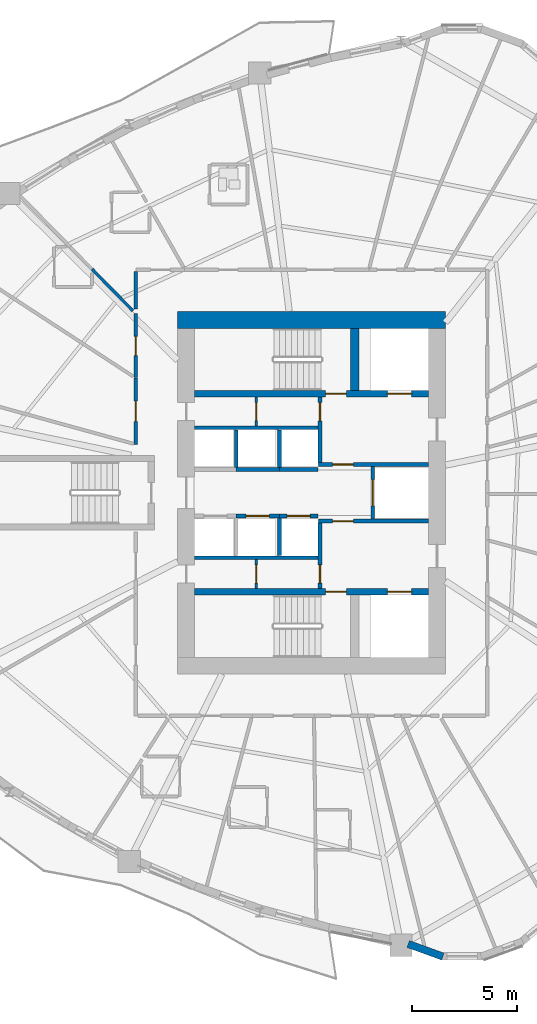
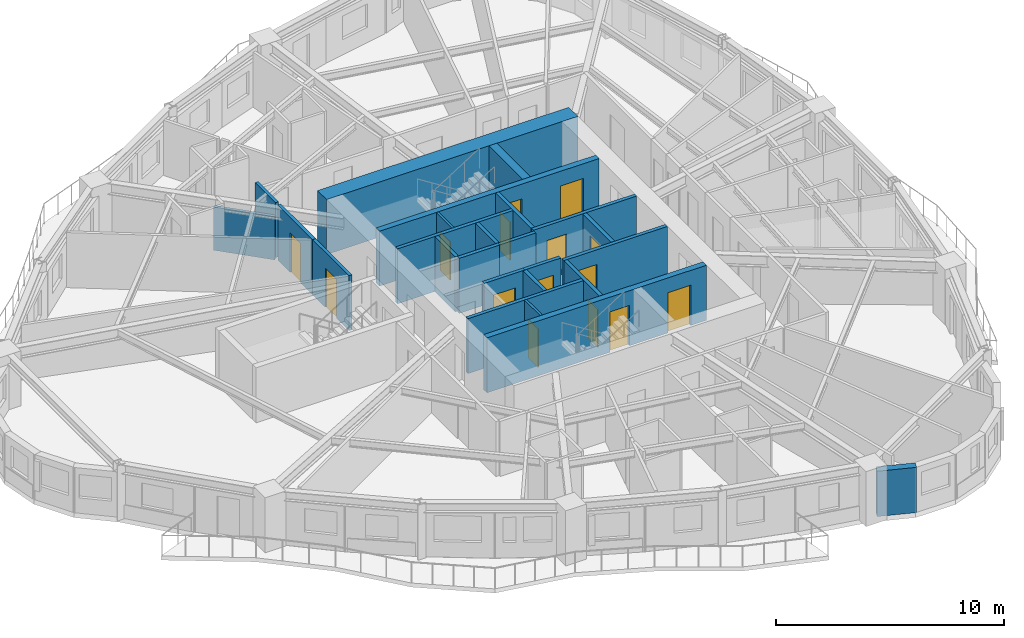
# One storey, part 5 of 13: 25 walls, 15 doors, 15 openings.
"""IFC4 building model written with IfcOpenShell, lengths in metres."""

from ifc_helpers import new_model, si_unit, direction, frame, frame_2d, origin, place, context, subcontext, project, spatial, rectangle, extrude, source, transform, mapped, material, layer, layer_set, type_object, element, fill, save


model = new_model("IFC4")

# Units and contexts
model_context = context("Model", 3, precision=1e-05, world=origin(), true_north=direction((0.0, 1.0)))
body_context = subcontext(model_context, "Body", "Model", "MODEL_VIEW")
ifc_project = project(units=[si_unit("LENGTHUNIT", "METRE"), si_unit("AREAUNIT", "SQUARE_METRE"), si_unit("VOLUMEUNIT", "CUBIC_METRE"), si_unit("PLANEANGLEUNIT", "RADIAN"), si_unit("MASSUNIT", "GRAM", prefix="KILO")], contexts=[model_context])

# Site, building, storey
site_placement = place(None, origin())
site = spatial("IfcSite", under=ifc_project, at=site_placement, CompositionType="ELEMENT")
building_placement = place(site_placement, origin())
building = spatial("IfcBuilding", under=site, at=building_placement, Name="Qafzar Sky-Pleat Residences", CompositionType="ELEMENT")
storey_placement = place(building_placement, frame((0.0, 0.0, 52.60009765625)))
storey = spatial("IfcBuildingStorey", under=building, at=storey_placement, Name="L15", CompositionType="ELEMENT", Elevation=52.60009765625)

# Wall, opening, door
ifc_material_1 = material(Name="Acoustic gypsum plasterboard partition", Category="gypsum")
ifc_layer_1 = layer(ifc_material_1, 0.159912109375)
ifc_layer_set_1 = layer_set([ifc_layer_1], Name="Acoustic gypsum plasterboard partition")
wall_type_1 = type_object("IfcWallType", Name="PART-COR-160", PredefinedType="PARTITIONING", material=ifc_layer_set_1)
wall_1_placement = place(storey_placement, frame((22.02001953125, 28.279052734375, 0.0), z_axis=(0.0, 0.0, 1.0), x_axis=(0.0, 1.0, 0.0)))
wall_1 = element("IfcWall", 1, at=wall_1_placement, inside=storey, type_object=wall_type_1, Name="L15 Partition Wall PART-L15-PW-007", PredefinedType="PARTITIONING", context=body_context, shape_type="SweptSolid", body=[
    extrude(rectangle(XDim=3.1728515625, YDim=0.159912109375, at=frame_2d((1.58642578125, 0.0))), origin(), (0.0, 0.0, 1.0), 2.93994140625),
])
opening_1_placement = place(wall_1_placement, frame((1.10498046875, 0.0, 0.0)))
opening_1 = element("IfcOpeningElement", 2, at=opening_1_placement, cuts=wall_1, Name="Opening ID-06", PredefinedType="OPENING", context=body_context, shape_type="SweptSolid", body=[
    extrude(rectangle(XDim=0.9599609375, YDim=2.10009765625, at=frame_2d((0.47998046875, 1.050048828125))), frame((0.0, 0.08984375, 0.0), z_axis=(0.0, -1.0, 0.0), x_axis=(1.0, 0.0, 0.0)), (0.0, 0.0, 1.0), 0.179931640625),
])
ifc_material_2 = material(Name="Timber-faced fire door", Category="wood")
door_type_1 = type_object("IfcDoorType", Name="DR-STD-960", OperationType="NOTDEFINED", PredefinedType="DOOR", material=ifc_material_2)
shared_shape_1 = source(origin(), body_context, "Body", "SweptSolid", [
    extrude(rectangle(XDim=0.9599609375, YDim=2.10009765625, at=frame_2d((0.47998046875, 1.050048828125))), frame((0.0, 0.02490234375, 0.0), z_axis=(0.0, -1.0, 0.0), x_axis=(1.0, 0.0, 0.0)), (0.0, 0.0, 1.0), 0.050048828125),
])
door_1_placement = place(opening_1_placement, origin())
door_1 = element("IfcDoor", 3, at=door_1_placement, inside=storey, type_object=door_type_1, Name="L15 Reading Library Door", OperationType="SINGLE_SWING_LEFT", OverallHeight=2.10009765625, OverallWidth=0.9599609375, PredefinedType="DOOR", context=body_context, shape_type="MappedRepresentation", body=[
    mapped(shared_shape_1, transform((0.0, 0.0, 0.0), x_axis=(1.0, 0.0, 0.0), y_axis=(0.0, 1.0, 0.0), z_axis=(0.0, 0.0, 1.0), scale=1.0)),
])
fill(opening_1, door_1)

wall_2_placement = place(storey_placement, frame((22.02001953125, 31.467041015625, 0.0), z_axis=(0.0, 0.0, 1.0), x_axis=(0.0, 1.0, 0.0)))
wall_2 = element("IfcWall", 4, at=wall_2_placement, inside=storey, type_object=wall_type_1, Name="L15 Partition Wall PART-L15-PW-008", PredefinedType="PARTITIONING", context=body_context, shape_type="SweptSolid", body=[
    extrude(rectangle(XDim=3.0400390625, YDim=0.159912109375, at=frame_2d((1.52001953125, 0.0))), origin(), (0.0, 0.0, 1.0), 2.93994140625),
])
opening_2_placement = place(wall_2_placement, frame((1.032958984375, 0.0, 0.0)))
opening_2 = element("IfcOpeningElement", 5, at=opening_2_placement, cuts=wall_2, Name="Opening ID-04", PredefinedType="OPENING", context=body_context, shape_type="SweptSolid", body=[
    extrude(rectangle(XDim=0.919921875, YDim=2.10009765625, at=frame_2d((0.4599609375, 1.050048828125))), frame((0.0, 0.08984375, 0.0), z_axis=(0.0, -1.0, 0.0), x_axis=(1.0, 0.0, 0.0)), (0.0, 0.0, 1.0), 0.179931640625),
])
door_type_2 = type_object("IfcDoorType", Name="DR-BED-920", OperationType="NOTDEFINED", PredefinedType="DOOR", material=ifc_material_2)
shared_shape_2 = source(origin(), body_context, "Body", "SweptSolid", [
    extrude(rectangle(XDim=0.919921875, YDim=2.10009765625, at=frame_2d((0.4599609375, 1.050048828125))), frame((0.0, 0.02490234375, 0.0), z_axis=(0.0, -1.0, 0.0), x_axis=(1.0, 0.0, 0.0)), (0.0, 0.0, 1.0), 0.050048828125),
])
door_2_placement = place(opening_2_placement, origin())
door_2 = element("IfcDoor", 6, at=door_2_placement, inside=storey, type_object=door_type_2, Name="L15 Co-Living Bedroom 8 Door", OperationType="SINGLE_SWING_RIGHT", OverallHeight=2.10009765625, OverallWidth=0.919921875, PredefinedType="DOOR", context=body_context, shape_type="MappedRepresentation", body=[
    mapped(shared_shape_2, transform((0.0, 0.0, 0.0), x_axis=(1.0, 0.0, 0.0), y_axis=(0.0, 1.0, 0.0), z_axis=(0.0, 0.0, 1.0), scale=1.0)),
])
fill(opening_2, door_2)

# Wall
wall_3_placement = place(storey_placement, frame((22.02001953125, 34.715087890625, 0.0), z_axis=(0.0, 0.0, 1.0), x_axis=(0.0, 1.0, 0.0)))
element("IfcWall", 7, at=wall_3_placement, inside=storey, type_object=wall_type_1, Name="L15 Partition Wall PART-L15-PW-057", PredefinedType="PARTITIONING", context=body_context, shape_type="SweptSolid", body=[
    extrude(rectangle(XDim=1.77685546875, YDim=0.159912109375, at=frame_2d((0.888427734375, 0.0))), origin(), (0.0, 0.0, 1.0), 2.93994140625),
])

# Wall, opening, door
ifc_material_3 = material(Name="Concrete blockwork partition", Category="masonry")
ifc_layer_2 = layer(ifc_material_3, 0.179931640625)
ifc_layer_set_2 = layer_set([ifc_layer_2], Name="Concrete blockwork partition")
wall_type_2 = type_object("IfcWallType", Name="PART-SHAFT-180", PredefinedType="PARTITIONING", material=ifc_layer_set_2)
wall_4_placement = place(storey_placement, frame((30.75, 21.4599609375, 0.0), z_axis=(0.0, 0.0, 1.0), x_axis=(0.0, 1.0, 0.0)))
wall_4 = element("IfcWall", 8, at=wall_4_placement, inside=storey, type_object=wall_type_2, Name="L15 Partition Wall PART-L15-FFL1-W", PredefinedType="PARTITIONING", context=body_context, shape_type="SweptSolid", body=[
    extrude(rectangle(XDim=3.110107421875, YDim=0.179931640625, at=frame_2d((1.55517578125, 0.0))), origin(), (0.0, 0.0, 1.0), 2.93994140625),
])
opening_3_placement = place(wall_4_placement, frame((0.260009765625, 0.0, 0.0)))
opening_3 = element("IfcOpeningElement", 9, at=opening_3_placement, cuts=wall_4, Name="Opening ID-09", PredefinedType="OPENING", context=body_context, shape_type="SweptSolid", body=[
    extrude(rectangle(XDim=0.860107421875, YDim=2.050048828125, at=frame_2d((0.43017578125, 1.02490234375))), frame((0.0, 0.10009765625, 0.0), z_axis=(0.0, -1.0, 0.0), x_axis=(1.0, 0.0, 0.0)), (0.0, 0.0, 1.0), 0.199951171875),
])
door_type_3 = type_object("IfcDoorType", Name="DR-SVC-860", OperationType="NOTDEFINED", PredefinedType="DOOR", material=ifc_material_2)
shared_shape_3 = source(origin(), body_context, "Body", "SweptSolid", [
    extrude(rectangle(XDim=0.860107421875, YDim=2.050048828125, at=frame_2d((0.43017578125, 1.02490234375))), frame((0.0, 0.02490234375, 0.0), z_axis=(0.0, -1.0, 0.0), x_axis=(1.0, 0.0, 0.0)), (0.0, 0.0, 1.0), 0.050048828125),
])
door_3_placement = place(opening_3_placement, origin())
door_3 = element("IfcDoor", 10, at=door_3_placement, inside=storey, type_object=door_type_3, Name="L15 South Core Cupboard Door", OperationType="SINGLE_SWING_LEFT", OverallHeight=2.050048828125, OverallWidth=0.860107421875, PredefinedType="DOOR", context=body_context, shape_type="MappedRepresentation", body=[
    mapped(shared_shape_3, transform((0.0, 0.0, 0.0), x_axis=(1.0, 0.0, 0.0), y_axis=(0.0, 1.0, 0.0), z_axis=(0.0, 0.0, 1.0), scale=1.0)),
])
fill(opening_3, door_3)

wall_5_placement = place(storey_placement, frame((30.669921875, 24.659912109375, 0.0), z_axis=(0.0, 0.0, 1.0), x_axis=(1.0, 0.0, 0.0)))
wall_5 = element("IfcWall", 11, at=wall_5_placement, inside=storey, type_object=wall_type_2, Name="L15 Partition Wall PART-L15-FFL1-N", PredefinedType="PARTITIONING", context=body_context, shape_type="SweptSolid", body=[
    extrude(rectangle(XDim=5.219970703125, YDim=0.179931640625, at=frame_2d((2.60986328125, 0.0))), origin(), (0.0, 0.0, 1.0), 2.93994140625),
])
opening_4_placement = place(wall_5_placement, frame((0.679931640625, 0.0, 0.0)))
opening_4 = element("IfcOpeningElement", 12, at=opening_4_placement, cuts=wall_5, Name="Opening ID-01", PredefinedType="OPENING", context=body_context, shape_type="SweptSolid", body=[
    extrude(rectangle(XDim=0.97998046875, YDim=2.14990234375, at=frame_2d((0.489990234375, 1.074951171875))), frame((0.0, 0.10009765625, 0.0), z_axis=(0.0, -1.0, 0.0), x_axis=(1.0, 0.0, 0.0)), (0.0, 0.0, 1.0), 0.199951171875),
])
door_type_4 = type_object("IfcDoorType", Name="DR-STAIR-980", OperationType="NOTDEFINED", PredefinedType="DOOR", material=ifc_material_2)
shared_shape_4 = source(origin(), body_context, "Body", "SweptSolid", [
    extrude(rectangle(XDim=0.97998046875, YDim=2.14990234375, at=frame_2d((0.489990234375, 1.074951171875))), frame((0.0, 0.02490234375, 0.0), z_axis=(0.0, -1.0, 0.0), x_axis=(1.0, 0.0, 0.0)), (0.0, 0.0, 1.0), 0.050048828125),
])
door_4_placement = place(opening_4_placement, origin())
door_4 = element("IfcDoor", 13, at=door_4_placement, inside=storey, type_object=door_type_4, Name="L15 Lift Lobby to South Firefighting Lobby Door", OperationType="SINGLE_SWING_RIGHT", OverallHeight=2.14990234375, OverallWidth=0.97998046875, PredefinedType="DOOR", context=body_context, shape_type="MappedRepresentation", body=[
    mapped(shared_shape_4, transform((0.0, 0.0, 0.0), x_axis=(1.0, 0.0, 0.0), y_axis=(0.0, 1.0, 0.0), z_axis=(0.0, 0.0, 1.0), scale=1.0)),
])
fill(opening_4, door_4)

wall_6_placement = place(storey_placement, frame((30.75, 27.429931640625, 0.0), z_axis=(0.0, 0.0, 1.0), x_axis=(0.0, 1.0, 0.0)))
wall_6 = element("IfcWall", 14, at=wall_6_placement, inside=storey, type_object=wall_type_2, Name="L15 Partition Wall PART-L15-FFL2-W", PredefinedType="PARTITIONING", context=body_context, shape_type="SweptSolid", body=[
    extrude(rectangle(XDim=3.110107421875, YDim=0.179931640625, at=frame_2d((1.55517578125, 0.0))), origin(), (0.0, 0.0, 1.0), 2.93994140625),
])
opening_5_placement = place(wall_6_placement, frame((1.97998046875, 0.0, 0.0)))
opening_5 = element("IfcOpeningElement", 15, at=opening_5_placement, cuts=wall_6, Name="Opening ID-09", PredefinedType="OPENING", context=body_context, shape_type="SweptSolid", body=[
    extrude(rectangle(XDim=0.860107421875, YDim=2.050048828125, at=frame_2d((0.43017578125, 1.02490234375))), frame((0.0, 0.10009765625, 0.0), z_axis=(0.0, -1.0, 0.0), x_axis=(1.0, 0.0, 0.0)), (0.0, 0.0, 1.0), 0.199951171875),
])
door_5_placement = place(opening_5_placement, origin())
door_5 = element("IfcDoor", 16, at=door_5_placement, inside=storey, type_object=door_type_3, Name="L15 North Core Cupboard Door", OperationType="SINGLE_SWING_LEFT", OverallHeight=2.050048828125, OverallWidth=0.860107421875, PredefinedType="DOOR", context=body_context, shape_type="MappedRepresentation", body=[
    mapped(shared_shape_3, transform((0.0, 0.0, 0.0), x_axis=(1.0, 0.0, 0.0), y_axis=(0.0, 1.0, 0.0), z_axis=(0.0, 0.0, 1.0), scale=1.0)),
])
fill(opening_5, door_5)

wall_7_placement = place(storey_placement, frame((30.669921875, 27.340087890625, 0.0), z_axis=(0.0, 0.0, 1.0), x_axis=(1.0, 0.0, 0.0)))
wall_7 = element("IfcWall", 17, at=wall_7_placement, inside=storey, type_object=wall_type_2, Name="L15 Partition Wall PART-L15-FFL2-S", PredefinedType="PARTITIONING", context=body_context, shape_type="SweptSolid", body=[
    extrude(rectangle(XDim=5.219970703125, YDim=0.179931640625, at=frame_2d((2.60986328125, 0.0))), origin(), (0.0, 0.0, 1.0), 2.93994140625),
])
opening_6_placement = place(wall_7_placement, frame((0.679931640625, 0.0, 0.0)))
opening_6 = element("IfcOpeningElement", 18, at=opening_6_placement, cuts=wall_7, Name="Opening ID-01", PredefinedType="OPENING", context=body_context, shape_type="SweptSolid", body=[
    extrude(rectangle(XDim=0.97998046875, YDim=2.14990234375, at=frame_2d((0.489990234375, 1.074951171875))), frame((0.0, 0.10009765625, 0.0), z_axis=(0.0, -1.0, 0.0), x_axis=(1.0, 0.0, 0.0)), (0.0, 0.0, 1.0), 0.199951171875),
])
door_6_placement = place(opening_6_placement, origin())
door_6 = element("IfcDoor", 19, at=door_6_placement, inside=storey, type_object=door_type_4, Name="L15 Lift Lobby to North Firefighting Lobby Door", OperationType="SINGLE_SWING_RIGHT", OverallHeight=2.14990234375, OverallWidth=0.97998046875, PredefinedType="DOOR", context=body_context, shape_type="MappedRepresentation", body=[
    mapped(shared_shape_4, transform((0.0, 0.0, 0.0), x_axis=(1.0, 0.0, 0.0), y_axis=(0.0, 1.0, 0.0), z_axis=(0.0, 0.0, 1.0), scale=1.0)),
])
fill(opening_6, door_6)

wall_8_placement = place(storey_placement, frame((33.25, 24.760009765625, 0.0), z_axis=(0.0, 0.0, 1.0), x_axis=(0.0, 1.0, 0.0)))
wall_8 = element("IfcWall", 20, at=wall_8_placement, inside=storey, type_object=wall_type_2, Name="L15 Partition Wall PART-L15-SV1-W", PredefinedType="PARTITIONING", context=body_context, shape_type="SweptSolid", body=[
    extrude(rectangle(XDim=2.47998046875, YDim=0.179931640625, at=frame_2d((1.239990234375, 0.0))), origin(), (0.0, 0.0, 1.0), 2.93994140625),
])
opening_7_placement = place(wall_8_placement, frame((0.614990234375, 0.0, 0.0)))
opening_7 = element("IfcOpeningElement", 21, at=opening_7_placement, cuts=wall_8, Name="Opening LD-03", PredefinedType="OPENING", context=body_context, shape_type="SweptSolid", body=[
    extrude(rectangle(XDim=1.25, YDim=2.14990234375, at=frame_2d((0.625, 1.074951171875))), frame((0.0, 0.10009765625, 0.0), z_axis=(0.0, -1.0, 0.0), x_axis=(1.0, 0.0, 0.0)), (0.0, 0.0, 1.0), 0.199951171875),
])
ifc_material_4 = material(Name="Stainless steel sliding landing door", Category="steel")
door_type_5 = type_object("IfcDoorType", Name="DR-LIFT-SV", OperationType="DOUBLE_DOOR_SLIDING", PredefinedType="DOOR", material=ifc_material_4)
shared_shape_5 = source(origin(), body_context, "Body", "SweptSolid", [
    extrude(rectangle(XDim=1.25, YDim=2.14990234375, at=frame_2d((0.625, 1.074951171875))), frame((0.0, 0.02490234375, 0.0), z_axis=(0.0, -1.0, 0.0), x_axis=(1.0, 0.0, 0.0)), (0.0, 0.0, 1.0), 0.050048828125),
])
door_7_placement = place(opening_7_placement, origin())
door_7 = element("IfcDoor", 22, at=door_7_placement, inside=storey, type_object=door_type_5, Name="L15 Service Lift SV1 Landing Door", OperationType="DOUBLE_DOOR_SLIDING", OverallHeight=2.14990234375, OverallWidth=1.25, PredefinedType="DOOR", context=body_context, shape_type="MappedRepresentation", body=[
    mapped(shared_shape_5, transform((0.0, 0.0, 0.0), x_axis=(1.0, 0.0, 0.0), y_axis=(0.0, 1.0, 0.0), z_axis=(0.0, 0.0, 1.0), scale=1.0)),
])
fill(opening_7, door_7)

# Wall
wall_9_placement = place(storey_placement, frame((24.81005859375, 22.919921875, 0.0), z_axis=(0.0, 0.0, 1.0), x_axis=(1.0, 0.0, 0.0)))
element("IfcWall", 23, at=wall_9_placement, inside=storey, type_object=wall_type_2, Name="L15 Partition Wall PART-L15-P13-S", PredefinedType="PARTITIONING", context=body_context, shape_type="SweptSolid", body=[
    extrude(rectangle(XDim=5.83984375, YDim=0.179931640625, at=frame_2d((2.919921875, 0.0))), origin(), (0.0, 0.0, 1.0), 2.93994140625),
])

# Wall, opening, door
wall_10_placement = place(storey_placement, frame((26.77490234375, 24.89990234375, 0.0), z_axis=(0.0, 0.0, 1.0), x_axis=(1.0, 0.0, 0.0)))
wall_10 = element("IfcWall", 24, at=wall_10_placement, inside=storey, type_object=wall_type_2, Name="L15 Partition Wall PART-L15-P2-N", PredefinedType="PARTITIONING", context=body_context, shape_type="SweptSolid", body=[
    extrude(rectangle(XDim=2.050048828125, YDim=0.179931640625, at=frame_2d((1.02490234375, 0.0))), origin(), (0.0, 0.0, 1.0), 2.93994140625),
])
opening_8_placement = place(wall_10_placement, frame((0.47509765625, 0.0, 0.0)))
opening_8 = element("IfcOpeningElement", 25, at=opening_8_placement, cuts=wall_10, Name="Opening LD-01", PredefinedType="OPENING", context=body_context, shape_type="SweptSolid", body=[
    extrude(rectangle(XDim=1.10009765625, YDim=2.14990234375, at=frame_2d((0.550048828125, 1.074951171875))), frame((0.0, 0.10009765625, 0.0), z_axis=(0.0, -1.0, 0.0), x_axis=(1.0, 0.0, 0.0)), (0.0, 0.0, 1.0), 0.199951171875),
])
door_type_6 = type_object("IfcDoorType", Name="DR-LIFT-P", OperationType="DOUBLE_DOOR_SLIDING", PredefinedType="DOOR", material=ifc_material_4)
shared_shape_6 = source(origin(), body_context, "Body", "SweptSolid", [
    extrude(rectangle(XDim=1.10009765625, YDim=2.14990234375, at=frame_2d((0.550048828125, 1.074951171875))), frame((0.0, 0.02490234375, 0.0), z_axis=(0.0, -1.0, 0.0), x_axis=(1.0, 0.0, 0.0)), (0.0, 0.0, 1.0), 0.050048828125),
])
door_8_placement = place(opening_8_placement, origin())
door_8 = element("IfcDoor", 26, at=door_8_placement, inside=storey, type_object=door_type_6, Name="L15 Passenger Lift P2 Landing Door", OperationType="DOUBLE_DOOR_SLIDING", OverallHeight=2.14990234375, OverallWidth=1.10009765625, PredefinedType="DOOR", context=body_context, shape_type="MappedRepresentation", body=[
    mapped(shared_shape_6, transform((0.0, 0.0, 0.0), x_axis=(1.0, 0.0, 0.0), y_axis=(0.0, 1.0, 0.0), z_axis=(0.0, 0.0, 1.0), scale=1.0)),
])
fill(opening_8, door_8)

wall_11_placement = place(storey_placement, frame((28.824951171875, 24.89990234375, 0.0), z_axis=(0.0, 0.0, 1.0), x_axis=(1.0, 0.0, 0.0)))
wall_11 = element("IfcWall", 27, at=wall_11_placement, inside=storey, type_object=wall_type_2, Name="L15 Partition Wall PART-L15-P3-N", PredefinedType="PARTITIONING", context=body_context, shape_type="SweptSolid", body=[
    extrude(rectangle(XDim=1.824951171875, YDim=0.179931640625, at=frame_2d((0.91259765625, 0.0))), origin(), (0.0, 0.0, 1.0), 2.93994140625),
])
opening_9_placement = place(wall_11_placement, frame((0.362548828125, 0.0, 0.0)))
opening_9 = element("IfcOpeningElement", 28, at=opening_9_placement, cuts=wall_11, Name="Opening LD-01", PredefinedType="OPENING", context=body_context, shape_type="SweptSolid", body=[
    extrude(rectangle(XDim=1.10009765625, YDim=2.14990234375, at=frame_2d((0.550048828125, 1.074951171875))), frame((0.0, 0.10009765625, 0.0), z_axis=(0.0, -1.0, 0.0), x_axis=(1.0, 0.0, 0.0)), (0.0, 0.0, 1.0), 0.199951171875),
])
door_9_placement = place(opening_9_placement, origin())
door_9 = element("IfcDoor", 29, at=door_9_placement, inside=storey, type_object=door_type_6, Name="L15 Passenger Lift P3 Landing Door", OperationType="DOUBLE_DOOR_SLIDING", OverallHeight=2.14990234375, OverallWidth=1.10009765625, PredefinedType="DOOR", context=body_context, shape_type="MappedRepresentation", body=[
    mapped(shared_shape_6, transform((0.0, 0.0, 0.0), x_axis=(1.0, 0.0, 0.0), y_axis=(0.0, 1.0, 0.0), z_axis=(0.0, 0.0, 1.0), scale=1.0)),
])
fill(opening_9, door_9)

# Walls
wall_12_placement = place(storey_placement, frame((28.824951171875, 23.02001953125, 0.0), z_axis=(0.0, 0.0, 1.0), x_axis=(0.0, 1.0, 0.0)))
element("IfcWall", 30, at=wall_12_placement, inside=storey, type_object=wall_type_2, Name="L15 Partition Wall PART-L15-P13-DIV-2", PredefinedType="PARTITIONING", context=body_context, shape_type="SweptSolid", body=[
    extrude(rectangle(XDim=1.780029296875, YDim=0.179931640625, at=frame_2d((0.89013671875, 0.0))), origin(), (0.0, 0.0, 1.0), 2.93994140625),
])
wall_13_placement = place(storey_placement, frame((24.81005859375, 29.080078125, 0.0), z_axis=(0.0, 0.0, 1.0), x_axis=(1.0, 0.0, 0.0)))
element("IfcWall", 31, at=wall_13_placement, inside=storey, type_object=wall_type_2, Name="L15 Partition Wall PART-L15-P46-N", PredefinedType="PARTITIONING", context=body_context, shape_type="SweptSolid", body=[
    extrude(rectangle(XDim=5.83984375, YDim=0.179931640625, at=frame_2d((2.919921875, 0.0))), origin(), (0.0, 0.0, 1.0), 2.93994140625),
])
wall_14_placement = place(storey_placement, frame((26.77490234375, 27.10009765625, 0.0), z_axis=(0.0, 0.0, 1.0), x_axis=(1.0, 0.0, 0.0)))
element("IfcWall", 32, at=wall_14_placement, inside=storey, type_object=wall_type_2, Name="L15 Partition Wall PART-L15-P5-S", PredefinedType="PARTITIONING", context=body_context, shape_type="SweptSolid", body=[
    extrude(rectangle(XDim=2.050048828125, YDim=0.179931640625, at=frame_2d((1.02490234375, 0.0))), origin(), (0.0, 0.0, 1.0), 2.93994140625),
])
wall_15_placement = place(storey_placement, frame((26.77490234375, 27.199951171875, 0.0), z_axis=(0.0, 0.0, 1.0), x_axis=(0.0, 1.0, 0.0)))
element("IfcWall", 33, at=wall_15_placement, inside=storey, type_object=wall_type_2, Name="L15 Partition Wall PART-L15-P46-DIV-1", PredefinedType="PARTITIONING", context=body_context, shape_type="SweptSolid", body=[
    extrude(rectangle(XDim=1.780029296875, YDim=0.179931640625, at=frame_2d((0.89013671875, 0.0))), origin(), (0.0, 0.0, 1.0), 2.93994140625),
])
wall_16_placement = place(storey_placement, frame((28.824951171875, 27.10009765625, 0.0), z_axis=(0.0, 0.0, 1.0), x_axis=(1.0, 0.0, 0.0)))
element("IfcWall", 34, at=wall_16_placement, inside=storey, type_object=wall_type_2, Name="L15 Partition Wall PART-L15-P6-S", PredefinedType="PARTITIONING", context=body_context, shape_type="SweptSolid", body=[
    extrude(rectangle(XDim=1.824951171875, YDim=0.179931640625, at=frame_2d((0.91259765625, 0.0))), origin(), (0.0, 0.0, 1.0), 2.93994140625),
])
wall_17_placement = place(storey_placement, frame((28.824951171875, 27.199951171875, 0.0), z_axis=(0.0, 0.0, 1.0), x_axis=(0.0, 1.0, 0.0)))
element("IfcWall", 35, at=wall_17_placement, inside=storey, type_object=wall_type_2, Name="L15 Partition Wall PART-L15-P46-DIV-2", PredefinedType="PARTITIONING", context=body_context, shape_type="SweptSolid", body=[
    extrude(rectangle(XDim=1.780029296875, YDim=0.179931640625, at=frame_2d((0.89013671875, 0.0))), origin(), (0.0, 0.0, 1.0), 2.93994140625),
])

# Wall, opening, door
ifc_material_5 = material(Name="Gypsum plasterboard partition", Category="gypsum")
ifc_layer_3 = layer(ifc_material_5, 0.114990234375)
ifc_layer_set_3 = layer_set([ifc_layer_3], Name="Gypsum plasterboard partition")
wall_type_3 = type_object("IfcWallType", Name="PART-SVC-115", PredefinedType="PARTITIONING", material=ifc_layer_set_3)
wall_18_placement = place(storey_placement, frame((27.72509765625, 21.4599609375, 0.0), z_axis=(0.0, 0.0, 1.0), x_axis=(0.0, 1.0, 0.0)))
wall_18 = element("IfcWall", 36, at=wall_18_placement, inside=storey, type_object=wall_type_3, Name="L15 Partition Wall PART-L15-KB-SW", PredefinedType="PARTITIONING", context=body_context, shape_type="SweptSolid", body=[
    extrude(rectangle(XDim=1.380126953125, YDim=0.114990234375, at=frame_2d((0.68994140625, 0.0))), origin(), (0.0, 0.0, 1.0), 2.93994140625),
])
opening_10_placement = place(wall_18_placement, frame((0.260009765625, 0.0, 0.0)))
opening_10 = element("IfcOpeningElement", 37, at=opening_10_placement, cuts=wall_18, Name="Opening ID-09", PredefinedType="OPENING", context=body_context, shape_type="SweptSolid", body=[
    extrude(rectangle(XDim=0.860107421875, YDim=2.050048828125, at=frame_2d((0.43017578125, 1.02490234375))), frame((0.0, 0.0673828125, 0.0), z_axis=(0.0, -1.0, 0.0), x_axis=(1.0, 0.0, 0.0)), (0.0, 0.0, 1.0), 0.135009765625),
])
door_10_placement = place(opening_10_placement, origin())
door_10 = element("IfcDoor", 38, at=door_10_placement, inside=storey, type_object=door_type_3, Name="L15 BMS Metering Cupboard Door", OperationType="SINGLE_SWING_LEFT", OverallHeight=2.050048828125, OverallWidth=0.860107421875, PredefinedType="DOOR", context=body_context, shape_type="MappedRepresentation", body=[
    mapped(shared_shape_3, transform((0.0, 0.0, 0.0), x_axis=(1.0, 0.0, 0.0), y_axis=(0.0, 1.0, 0.0), z_axis=(0.0, 0.0, 1.0), scale=1.0)),
])
fill(opening_10, door_10)

wall_19_placement = place(storey_placement, frame((27.72509765625, 29.159912109375, 0.0), z_axis=(0.0, 0.0, 1.0), x_axis=(0.0, 1.0, 0.0)))
wall_19 = element("IfcWall", 39, at=wall_19_placement, inside=storey, type_object=wall_type_3, Name="L15 Partition Wall PART-L15-KB-NW", PredefinedType="PARTITIONING", context=body_context, shape_type="SweptSolid", body=[
    extrude(rectangle(XDim=1.380126953125, YDim=0.114990234375, at=frame_2d((0.68994140625, 0.0))), origin(), (0.0, 0.0, 1.0), 2.93994140625),
])
opening_11_placement = place(wall_19_placement, frame((0.260009765625, 0.0, 0.0)))
opening_11 = element("IfcOpeningElement", 40, at=opening_11_placement, cuts=wall_19, Name="Opening ID-09", PredefinedType="OPENING", context=body_context, shape_type="SweptSolid", body=[
    extrude(rectangle(XDim=0.860107421875, YDim=2.050048828125, at=frame_2d((0.43017578125, 1.02490234375))), frame((0.0, 0.0673828125, 0.0), z_axis=(0.0, -1.0, 0.0), x_axis=(1.0, 0.0, 0.0)), (0.0, 0.0, 1.0), 0.135009765625),
])
door_11_placement = place(opening_11_placement, origin())
door_11 = element("IfcDoor", 41, at=door_11_placement, inside=storey, type_object=door_type_3, Name="L15 IT Cupboard Door", OperationType="SINGLE_SWING_RIGHT", OverallHeight=2.050048828125, OverallWidth=0.860107421875, PredefinedType="DOOR", context=body_context, shape_type="MappedRepresentation", body=[
    mapped(shared_shape_3, transform((0.0, 0.0, 0.0), x_axis=(1.0, 0.0, 0.0), y_axis=(0.0, 1.0, 0.0), z_axis=(0.0, 0.0, 1.0), scale=1.0)),
])
fill(opening_11, door_11)

# Walls
ifc_layer_4 = layer(ifc_material_1, 0.14501953125)
ifc_layer_set_4 = layer_set([ifc_layer_4], Name="Acoustic gypsum plasterboard partition")
wall_type_4 = type_object("IfcWallType", Name="PART-UNIT-145", PredefinedType="PARTITIONING", material=ifc_layer_set_4)
wall_20_placement = place(storey_placement, frame((19.93798828125, 36.60693359375, 0.0), z_axis=(0.0, 0.0, 1.0), x_axis=(0.700568911338, -0.713584753527, 0.0)))
element("IfcWall", 42, at=wall_20_placement, inside=storey, type_object=wall_type_4, Name="L15 Partition Wall PART-L15-PW-053", PredefinedType="PARTITIONING", context=body_context, shape_type="SweptSolid", body=[
    extrude(rectangle(XDim=2.776123046875, YDim=0.14501953125, at=frame_2d((1.38818359375, 0.0))), origin(), (0.0, 0.0, 1.0), 2.307861328125),
])
ifc_material_6 = material(Name="Precast concrete C40/50 with honed Riyadh limestone", Category="concrete")
ifc_layer_5 = layer(ifc_material_6, 0.35009765625)
ifc_layer_set_5 = layer_set([ifc_layer_5], Name="Precast concrete C40/50 with honed Riyadh limestone")
wall_type_5 = type_object("IfcWallType", Name="WALL-EXT-350", PredefinedType="SOLIDWALL", material=ifc_layer_set_5)
wall_21_placement = place(storey_placement, frame((34.931884765625, 4.601806640625, 0.0), z_axis=(0.0, 0.0, 1.0), x_axis=(0.939675390388, -0.342067479745, 0.0)))
element("IfcWall", 43, at=wall_21_placement, inside=storey, type_object=wall_type_5, Name="L15 Limestone Facade Wall 17", PredefinedType="SOLIDWALL", context=body_context, shape_type="SweptSolid", body=[
    extrude(rectangle(XDim=1.752197265625, YDim=0.35009765625, at=frame_2d((0.8759765625, 0.0))), origin(), (0.0, 0.0, 1.0), 2.419921875),
])

# Wall, openings, doors
ifc_material_7 = material(Name="Concrete C60/75", Category="concrete")
ifc_layer_6 = layer(ifc_material_7, 0.300048828125)
ifc_layer_set_6 = layer_set([ifc_layer_6], Name="Concrete C60/75")
wall_type_6 = type_object("IfcWallType", Name="WALL-SHEAR-300", PredefinedType="SHEAR", material=ifc_layer_set_6)
wall_22_placement = place(storey_placement, frame((24.800048828125, 21.300048828125, 0.0), z_axis=(0.0, 0.0, 1.0), x_axis=(1.0, 0.0, 0.0)))
wall_22 = element("IfcWall", 44, at=wall_22_placement, inside=storey, type_object=wall_type_6, Name="L15 Stair ST1 and FF1 Shaft North Wall", PredefinedType="SHEAR", context=body_context, shape_type="SweptSolid", body=[
    extrude(rectangle(XDim=11.099853515625, YDim=0.300048828125, at=frame_2d((5.5498046875, 0.0))), origin(), (0.0, 0.0, 1.0), 2.93994140625),
])
opening_12_placement = place(wall_22_placement, frame((6.219970703125, 0.0, 0.0)))
opening_12 = element("IfcOpeningElement", 45, at=opening_12_placement, cuts=wall_22, Name="Opening ID-01", PredefinedType="OPENING", context=body_context, shape_type="SweptSolid", body=[
    extrude(rectangle(XDim=0.97998046875, YDim=2.14990234375, at=frame_2d((0.489990234375, 1.074951171875))), frame((0.0, 0.16015625, 0.0), z_axis=(0.0, -1.0, 0.0), x_axis=(1.0, 0.0, 0.0)), (0.0, 0.0, 1.0), 0.320068359375),
])
opening_13_placement = place(wall_22_placement, frame((9.14990234375, 0.0, 0.0)))
opening_13 = element("IfcOpeningElement", 46, at=opening_13_placement, cuts=wall_22, Name="Opening LD-02", PredefinedType="OPENING", context=body_context, shape_type="SweptSolid", body=[
    extrude(rectangle(XDim=1.14990234375, YDim=2.14990234375, at=frame_2d((0.574951171875, 1.074951171875))), frame((0.0, 0.16015625, 0.0), z_axis=(0.0, -1.0, 0.0), x_axis=(1.0, 0.0, 0.0)), (0.0, 0.0, 1.0), 0.320068359375),
])
door_12_placement = place(opening_12_placement, origin())
door_12 = element("IfcDoor", 47, at=door_12_placement, inside=storey, type_object=door_type_4, Name="L15 Stair ST1 Fire Door", OperationType="SINGLE_SWING_RIGHT", OverallHeight=2.14990234375, OverallWidth=0.97998046875, PredefinedType="DOOR", context=body_context, shape_type="MappedRepresentation", body=[
    mapped(shared_shape_4, transform((0.0, 0.0, 0.0), x_axis=(1.0, 0.0, 0.0), y_axis=(0.0, 1.0, 0.0), z_axis=(0.0, 0.0, 1.0), scale=1.0)),
])
fill(opening_12, door_12)
door_type_7 = type_object("IfcDoorType", Name="DR-LIFT-FF", OperationType="DOUBLE_DOOR_SLIDING", PredefinedType="DOOR", material=ifc_material_4)
shared_shape_7 = source(origin(), body_context, "Body", "SweptSolid", [
    extrude(rectangle(XDim=1.14990234375, YDim=2.14990234375, at=frame_2d((0.574951171875, 1.074951171875))), frame((0.0, 0.02490234375, 0.0), z_axis=(0.0, -1.0, 0.0), x_axis=(1.0, 0.0, 0.0)), (0.0, 0.0, 1.0), 0.050048828125),
])
door_13_placement = place(opening_13_placement, origin())
door_13 = element("IfcDoor", 48, at=door_13_placement, inside=storey, type_object=door_type_7, Name="L15 Firefighting Lift FF1 Landing Door", OperationType="DOUBLE_DOOR_SLIDING", OverallHeight=2.14990234375, OverallWidth=1.14990234375, PredefinedType="DOOR", context=body_context, shape_type="MappedRepresentation", body=[
    mapped(shared_shape_7, transform((0.0, 0.0, 0.0), x_axis=(1.0, 0.0, 0.0), y_axis=(0.0, 1.0, 0.0), z_axis=(0.0, 0.0, 1.0), scale=1.0)),
])
fill(opening_13, door_13)

wall_23_placement = place(storey_placement, frame((24.800048828125, 30.699951171875, 0.0), z_axis=(0.0, 0.0, 1.0), x_axis=(1.0, 0.0, 0.0)))
wall_23 = element("IfcWall", 49, at=wall_23_placement, inside=storey, type_object=wall_type_6, Name="L15 Stair ST2 and FF2 Shaft South Wall", PredefinedType="SHEAR", context=body_context, shape_type="SweptSolid", body=[
    extrude(rectangle(XDim=11.099853515625, YDim=0.300048828125, at=frame_2d((5.5498046875, 0.0))), origin(), (0.0, 0.0, 1.0), 2.93994140625),
])
opening_14_placement = place(wall_23_placement, frame((6.219970703125, 0.0, 0.0)))
opening_14 = element("IfcOpeningElement", 50, at=opening_14_placement, cuts=wall_23, Name="Opening ID-01", PredefinedType="OPENING", context=body_context, shape_type="SweptSolid", body=[
    extrude(rectangle(XDim=0.97998046875, YDim=2.14990234375, at=frame_2d((0.489990234375, 1.074951171875))), frame((0.0, 0.16015625, 0.0), z_axis=(0.0, -1.0, 0.0), x_axis=(1.0, 0.0, 0.0)), (0.0, 0.0, 1.0), 0.320068359375),
])
opening_15_placement = place(wall_23_placement, frame((9.14990234375, 0.0, 0.0)))
opening_15 = element("IfcOpeningElement", 51, at=opening_15_placement, cuts=wall_23, Name="Opening LD-02", PredefinedType="OPENING", context=body_context, shape_type="SweptSolid", body=[
    extrude(rectangle(XDim=1.14990234375, YDim=2.14990234375, at=frame_2d((0.574951171875, 1.074951171875))), frame((0.0, 0.16015625, 0.0), z_axis=(0.0, -1.0, 0.0), x_axis=(1.0, 0.0, 0.0)), (0.0, 0.0, 1.0), 0.320068359375),
])
door_14_placement = place(opening_14_placement, origin())
door_14 = element("IfcDoor", 52, at=door_14_placement, inside=storey, type_object=door_type_4, Name="L15 Stair ST2 Fire Door", OperationType="SINGLE_SWING_LEFT", OverallHeight=2.14990234375, OverallWidth=0.97998046875, PredefinedType="DOOR", context=body_context, shape_type="MappedRepresentation", body=[
    mapped(shared_shape_4, transform((0.0, 0.0, 0.0), x_axis=(1.0, 0.0, 0.0), y_axis=(0.0, 1.0, 0.0), z_axis=(0.0, 0.0, 1.0), scale=1.0)),
])
fill(opening_14, door_14)
door_15_placement = place(opening_15_placement, origin())
door_15 = element("IfcDoor", 53, at=door_15_placement, inside=storey, type_object=door_type_7, Name="L15 Firefighting Lift FF2 Landing Door", OperationType="DOUBLE_DOOR_SLIDING", OverallHeight=2.14990234375, OverallWidth=1.14990234375, PredefinedType="DOOR", context=body_context, shape_type="MappedRepresentation", body=[
    mapped(shared_shape_7, transform((0.0, 0.0, 0.0), x_axis=(1.0, 0.0, 0.0), y_axis=(0.0, 1.0, 0.0), z_axis=(0.0, 0.0, 1.0), scale=1.0)),
])
fill(opening_15, door_15)

# Walls
ifc_layer_7 = layer(ifc_material_7, 0.39990234375)
ifc_layer_set_7 = layer_set([ifc_layer_7], Name="Concrete C60/75")
wall_type_7 = type_object("IfcWallType", Name="WALL-SHEAR-400", PredefinedType="SHEAR", material=ifc_layer_set_7)
wall_24_placement = place(storey_placement, frame((32.39990234375, 30.85009765625, 0.0), z_axis=(0.0, 0.0, 1.0), x_axis=(0.0, 1.0, 0.0)))
element("IfcWall", 54, at=wall_24_placement, inside=storey, type_object=wall_type_7, Name="L15 Stair ST2 East Dividing Wall", PredefinedType="SHEAR", context=body_context, shape_type="SweptSolid", body=[
    extrude(rectangle(XDim=2.949951171875, YDim=0.39990234375, at=frame_2d((1.47509765625, 0.0))), origin(), (0.0, 0.0, 1.0), 2.93994140625),
])
ifc_layer_8 = layer(ifc_material_7, 0.800048828125)
ifc_layer_set_8 = layer_set([ifc_layer_8], Name="Concrete C60/75")
wall_type_8 = type_object("IfcWallType", Name="WALL-SHEAR-800", PredefinedType="SHEAR", material=ifc_layer_set_8)
wall_25_placement = place(storey_placement, frame((36.699951171875, 34.199951171875, 0.0), z_axis=(0.0, 0.0, 1.0), x_axis=(-1.0, 0.0, 0.0)))
element("IfcWall", 55, at=wall_25_placement, inside=storey, type_object=wall_type_8, Name="L15 CORE wall N", PredefinedType="SHEAR", context=body_context, shape_type="SweptSolid", body=[
    extrude(rectangle(XDim=12.699951171875, YDim=0.800048828125, at=frame_2d((6.35009765625, 0.0))), origin(), (0.0, 0.0, 1.0), 2.93994140625),
])

save(model, "model.ifc")
